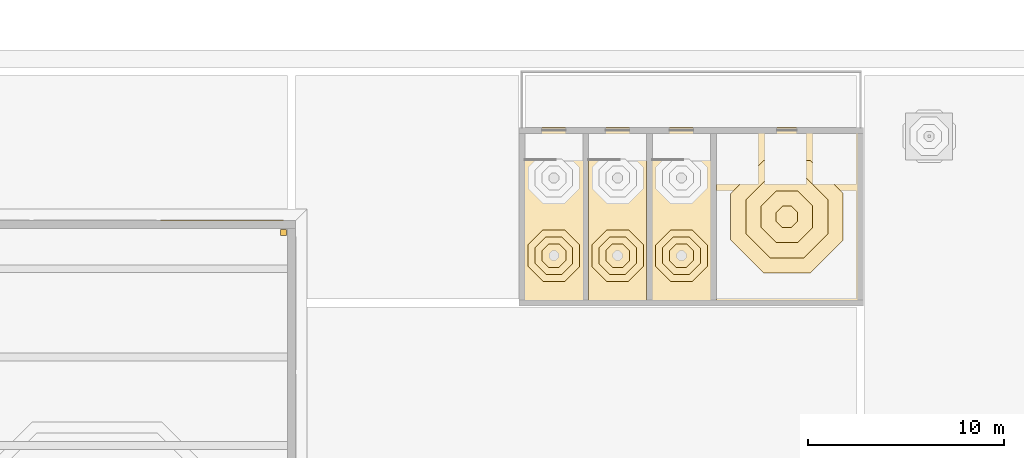
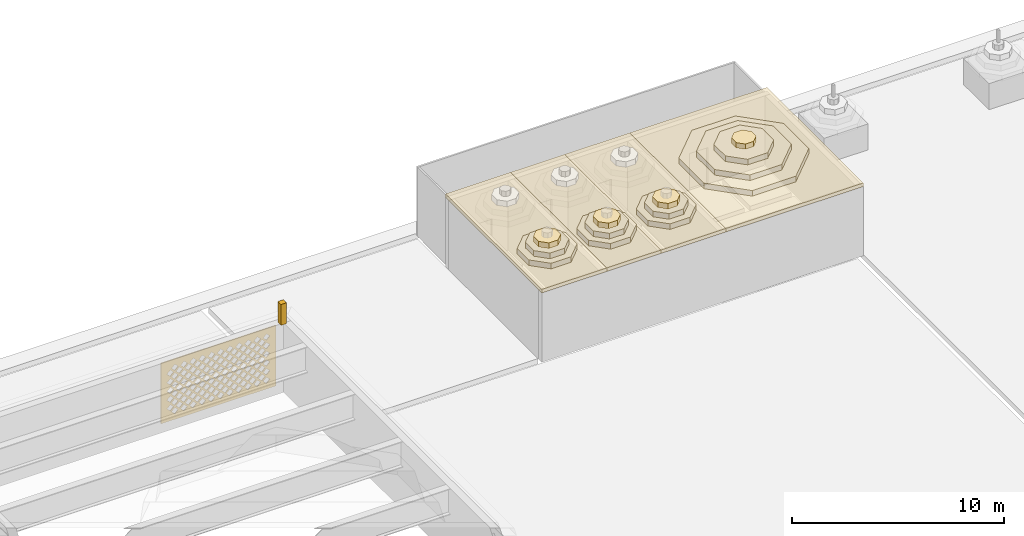
# One storey, part 34 of 63: 19 coverings.
"""IFC4 building model written with IfcOpenShell, lengths in metres."""

import ifcopenshell
import ifcopenshell.guid

model = None  # the IFC model being written
_history = None  # IfcOwnerHistory: only IFC2X3 demands one
_inside = {}  # id of a spatial element -> (the spatial element, [elements in it])
_under = {}  # id of a project, library or spatial element -> (it, [spatial elements below it])
_declared = {}  # id of a project -> (the project, [libraries it declares])
_typed = {}  # id of a type object -> (the type object, [elements of that type])
_made_of = {}  # id of a material, layer set ... -> (it, [elements and type objects made of it])


def new_model(schema):
    """Start an empty IFC model of exactly this schema.

    Asked for "IFC4X3", IfcOpenShell would pick the latest addendum, in which some entities
    have other attributes; the version numbers below select the first issue.
    IFC2X3 requires an IfcOwnerHistory on every rooted entity: one is made here for all.
    """
    global model, _history
    if schema == "IFC4X3":
        model = ifcopenshell.file(schema_version=(4, 3, 0, 0))
    else:
        model = ifcopenshell.file(schema=schema)
    _inside.clear()
    _under.clear()
    _declared.clear()
    _typed.clear()
    _made_of.clear()
    _history = None
    if model.schema == "IFC2X3":
        org = make("IfcOrganization", Name="unknown")
        user = make(
            "IfcPersonAndOrganization",
            ThePerson=make("IfcPerson", FamilyName="unknown"),
            TheOrganization=org,
        )
        app = make(
            "IfcApplication",
            ApplicationDeveloper=org,
            Version="unknown",
            ApplicationFullName="unknown",
            ApplicationIdentifier="unknown",
        )
        _history = make(
            "IfcOwnerHistory",
            OwningUser=user,
            OwningApplication=app,
            ChangeAction="ADDED",
            CreationDate=0,
        )
    return model


def make(cls, **values):
    """One entity of the class cls with the attributes given. An attribute that is None is left unset."""
    return model.create_entity(
        cls, **{name: value for name, value in values.items() if value is not None}
    )


def rooted(cls, **values):
    """An entity with a GlobalId (a new one), such as an element, a storey or a relation."""
    return make(cls, GlobalId=ifcopenshell.guid.new(), OwnerHistory=_history, **values)


def si_unit(unit_type, name, prefix=None):
    """IfcSIUnit, for example si_unit("LENGTHUNIT", "METRE", prefix="MILLI")."""
    return make("IfcSIUnit", UnitType=unit_type, Prefix=prefix, Name=name)


def assignment(units):
    """IfcUnitAssignment: the units of a project."""
    return None if units is None else make("IfcUnitAssignment", Units=units)


def point(xyz):
    """IfcCartesianPoint."""
    return None if xyz is None else make("IfcCartesianPoint", Coordinates=xyz)


def direction(xyz):
    """IfcDirection."""
    return None if xyz is None else make("IfcDirection", DirectionRatios=xyz)


def frame(location, z_axis=None, x_axis=None):
    """IfcAxis2Placement3D, a coordinate frame: its origin and axes. An axis left out is left unset."""
    return make(
        "IfcAxis2Placement3D",
        Location=point(location),
        Axis=direction(z_axis),
        RefDirection=direction(x_axis),
    )


def frame_2d(location, x_axis=None):
    """IfcAxis2Placement2D, a coordinate frame in the plane: its origin and x axis."""
    return make(
        "IfcAxis2Placement2D", Location=point(location), RefDirection=direction(x_axis)
    )


def origin():
    """The frame at (0, 0, 0) with its axes left unset."""
    return frame((0.0, 0.0, 0.0))


def origin_2d():
    """The frame at (0, 0) in the plane with its x axis left unset."""
    return frame_2d((0.0, 0.0))


def place(relative_to, where):
    """IfcLocalPlacement: puts the frame where relative to a parent placement (None: the world)."""
    return make(
        "IfcLocalPlacement", PlacementRelTo=relative_to, RelativePlacement=where
    )


def context(
    kind, dimensions, precision=None, world=None, true_north=None, identifier=None
):
    """IfcGeometricRepresentationContext, for example the 3D "Model" context."""
    return make(
        "IfcGeometricRepresentationContext",
        ContextIdentifier=identifier,
        ContextType=kind,
        CoordinateSpaceDimension=dimensions,
        Precision=precision,
        WorldCoordinateSystem=world,
        TrueNorth=true_north,
    )


def subcontext(parent, identifier, kind, view, scale=None):
    """IfcGeometricRepresentationSubContext, for example "Body" below "Model"."""
    return make(
        "IfcGeometricRepresentationSubContext",
        ContextIdentifier=identifier,
        ContextType=kind,
        ParentContext=parent,
        TargetScale=scale,
        TargetView=view,
    )


def project(units=None, contexts=None):
    """IfcProject with its units and contexts."""
    return rooted(
        "IfcProject",
        Name="project",
        RepresentationContexts=contexts,
        UnitsInContext=assignment(units),
    )


def spatial(cls, under=None, at=None, **own):
    """A site, building, storey or space (cls), placed at a placement, below another one or the project."""
    s = rooted(cls, ObjectPlacement=at, **own)
    if under is not None:
        _under.setdefault(under.id(), (under, []))[1].append(s)
    return s


def polyline(points):
    """IfcPolyline through the points."""
    return make("IfcPolyline", Points=[point(p) for p in points])


def profile(cls, at=None, kind="AREA", **sizes):
    """A parametric profile (cls). Its sizes go by their IFC names, for example OverallWidth=200.0."""
    return make(cls, ProfileType=kind, Position=at, **sizes)


def rectangle(**sizes):
    """IfcRectangleProfileDef."""
    return profile("IfcRectangleProfileDef", **sizes)


def outline(outer, holes=None, kind="AREA"):
    """IfcArbitraryClosedProfileDef: a profile drawn as a closed curve; with holes, ...WithVoids."""
    if holes is None:
        return make("IfcArbitraryClosedProfileDef", ProfileType=kind, OuterCurve=outer)
    return make(
        "IfcArbitraryProfileDefWithVoids",
        ProfileType=kind,
        OuterCurve=outer,
        InnerCurves=holes,
    )


def extrude(swept, where, along, depth):
    """IfcExtrudedAreaSolid: the profile swept, set in the frame where, extruded along a direction by depth."""
    return make(
        "IfcExtrudedAreaSolid",
        SweptArea=swept,
        Position=where,
        ExtrudedDirection=direction(along),
        Depth=depth,
    )


def shape(context_of_items, identifier, shape_type, items):
    """IfcShapeRepresentation: the items that make up one representation, for example the "Body"."""
    return make(
        "IfcShapeRepresentation",
        ContextOfItems=context_of_items,
        RepresentationIdentifier=identifier,
        RepresentationType=shape_type,
        Items=items,
    )


def material(Name=None, Category=None):
    """IfcMaterial."""
    return make("IfcMaterial", Name=Name, Category=Category)


def layer(
    of_material, thickness, ventilated=None, Name=None, Category=None, Priority=None
):
    """IfcMaterialLayer: one layer of a wall or slab, of a material (None: an air gap)."""
    return make(
        "IfcMaterialLayer",
        Material=of_material,
        LayerThickness=thickness,
        IsVentilated=ventilated,
        Name=Name,
        Category=Category,
        Priority=Priority,
    )


def layer_set(layers, Name=None):
    """IfcMaterialLayerSet."""
    return make("IfcMaterialLayerSet", MaterialLayers=layers, LayerSetName=Name)


def made_of(thing, what):
    """Note that an element or type object is made of a material, layer set ...; save() writes the relation."""
    if what is not None:
        _made_of.setdefault(what.id(), (what, []))[1].append(thing)
    return thing


def type_object(cls, material=None, **own):
    """A type object (cls), such as IfcWallType, which elements share."""
    return made_of(rooted(cls, **own), material)


def element(
    cls,
    number,
    at=None,
    inside=None,
    cuts=None,
    type_object=None,
    material=None,
    context=None,
    identifier="Body",
    shape_type=None,
    held_by="IfcProductDefinitionShape",
    body=None,
    shapes=None,
    **own,
):
    """One element of the class cls, such as IfcWall. Its Tag is "e" and its number.

    at: its placement. inside: the storey or other place that contains it. cuts: it is an
    opening in that element (IfcRelVoidsElement). A single representation is given by context,
    identifier, shape_type and body (its items); several are given by shapes. held_by: the class
    of the entity that holds the representations. save() writes the other relations.
    """
    e = rooted(cls, Tag="e%d" % number, ObjectPlacement=at, **own)
    if body is not None:
        shapes = [shape(context, identifier, shape_type, body)]
    if shapes is not None:
        e.Representation = make(held_by, Representations=shapes)
    if inside is not None:
        _inside.setdefault(inside.id(), (inside, []))[1].append(e)
    if cuts is not None:
        rooted(
            "IfcRelVoidsElement", RelatingBuildingElement=cuts, RelatedOpeningElement=e
        )
    if type_object is not None:
        _typed.setdefault(type_object.id(), (type_object, []))[1].append(e)
    return made_of(e, material)


def aggregate(whole, parts):
    """IfcRelAggregates: a whole, such as a stair, and the parts it consists of."""
    return rooted("IfcRelAggregates", RelatingObject=whole, RelatedObjects=parts)


def save(model, path):
    """Write the relations noted so far, then the file.

    IfcRelAggregates (storeys below a building ...), IfcRelContainedInSpatialStructure (elements
    in a storey), IfcRelDefinesByType, IfcRelAssociatesMaterial and IfcRelDeclares: one each for
    every whole, place, type object, material and project.
    """
    for whole, parts in _under.values():
        aggregate(whole, parts)
    for where, things in _inside.values():
        rooted(
            "IfcRelContainedInSpatialStructure",
            RelatedElements=things,
            RelatingStructure=where,
        )
    for kind, things in _typed.values():
        rooted("IfcRelDefinesByType", RelatedObjects=things, RelatingType=kind)
    for what, things in _made_of.values():
        rooted("IfcRelAssociatesMaterial", RelatedObjects=things, RelatingMaterial=what)
    for by, libraries in _declared.values():
        rooted("IfcRelDeclares", RelatingContext=by, RelatedDefinitions=libraries)
    model.write(path)


model = new_model("IFC4")

# Units and contexts
model_context = context("Model", 3, precision=1e-05, world=origin(), true_north=direction((0.0, 1.0)))
body_context = subcontext(model_context, "Body", "Model", "MODEL_VIEW")
ifc_project = project(units=[si_unit("LENGTHUNIT", "METRE"), si_unit("AREAUNIT", "SQUARE_METRE"), si_unit("VOLUMEUNIT", "CUBIC_METRE"), si_unit("PLANEANGLEUNIT", "RADIAN"), si_unit("MASSUNIT", "GRAM", prefix="KILO")], contexts=[model_context])

# Site, building, storey
site_placement = place(None, origin())
site = spatial("IfcSite", under=ifc_project, at=site_placement, CompositionType="ELEMENT")
building_placement = place(site_placement, origin())
building = spatial("IfcBuilding", under=site, at=building_placement, Name="Noorbagh Ring Tower", CompositionType="ELEMENT")
storey_placement = place(building_placement, frame((0.0, 0.0, 25.0)))
storey = spatial("IfcBuildingStorey", under=building, at=storey_placement, Name="L04", CompositionType="ELEMENT", Elevation=25.0)

# Coverings
ifc_material_1 = material(Name="Red sandstone jali", Category="masonry")
ifc_layer_1 = layer(ifc_material_1, 0.0400390625)
ifc_layer_set_1 = layer_set([ifc_layer_1], Name="Red sandstone jali")
covering_type_1 = type_object("IfcCoveringType", Name="STH-BAND", PredefinedType="USERDEFINED", material=ifc_layer_set_1)
covering_1_placement = place(storey_placement, frame((-140.39990234375, 23.239990234375, 0.199951171875), z_axis=(0.0, 1.0, 0.0), x_axis=(-1.0, 0.0, 0.0)))
element("IfcCovering", 1, at=covering_1_placement, inside=storey, type_object=covering_type_1, Name="Jali band of the stage house", ObjectType="JALI SCREEN", PredefinedType="USERDEFINED", context=body_context, shape_type="SweptSolid", body=[
    extrude(outline(polyline([(0.0, 0.0), (6.266845703125, 0.0), (6.266845703125, 3.5), (0.0, 3.5), (0.0, 0.0)]), holes=[polyline([(0.328369140625, 0.5), (0.50830078125, 0.320068359375), (0.688232421875, 0.5), (0.50830078125, 0.679931640625), (0.328369140625, 0.5)]), polyline([(0.828369140625, 0.5), (1.00830078125, 0.320068359375), (1.188232421875, 0.5), (1.00830078125, 0.679931640625), (0.828369140625, 0.5)]), polyline([(1.328369140625, 0.5), (1.50830078125, 0.320068359375), (1.688232421875, 0.5), (1.50830078125, 0.679931640625), (1.328369140625, 0.5)]), polyline([(1.828369140625, 0.5), (2.00830078125, 0.320068359375), (2.188232421875, 0.5), (2.00830078125, 0.679931640625), (1.828369140625, 0.5)]), polyline([(2.328369140625, 0.5), (2.50830078125, 0.320068359375), (2.688232421875, 0.5), (2.50830078125, 0.679931640625), (2.328369140625, 0.5)]), polyline([(2.828369140625, 0.5), (3.00830078125, 0.320068359375), (3.188232421875, 0.5), (3.00830078125, 0.679931640625), (2.828369140625, 0.5)]), polyline([(3.328369140625, 0.5), (3.50830078125, 0.320068359375), (3.688232421875, 0.5), (3.50830078125, 0.679931640625), (3.328369140625, 0.5)]), polyline([(3.828369140625, 0.5), (4.00830078125, 0.320068359375), (4.188232421875, 0.5), (4.00830078125, 0.679931640625), (3.828369140625, 0.5)]), polyline([(4.328369140625, 0.5), (4.50830078125, 0.320068359375), (4.688232421875, 0.5), (4.50830078125, 0.679931640625), (4.328369140625, 0.5)]), polyline([(4.828369140625, 0.5), (5.00830078125, 0.320068359375), (5.188232421875, 0.5), (5.00830078125, 0.679931640625), (4.828369140625, 0.5)]), polyline([(5.328369140625, 0.5), (5.50830078125, 0.320068359375), (5.688232421875, 0.5), (5.50830078125, 0.679931640625), (5.328369140625, 0.5)]), polyline([(0.578369140625, 0.75), (0.75830078125, 0.570068359375), (0.938232421875, 0.75), (0.75830078125, 0.929931640625), (0.578369140625, 0.75)]), polyline([(1.078369140625, 0.75), (1.25830078125, 0.570068359375), (1.438232421875, 0.75), (1.25830078125, 0.929931640625), (1.078369140625, 0.75)]), polyline([(1.578369140625, 0.75), (1.75830078125, 0.570068359375), (1.938232421875, 0.75), (1.75830078125, 0.929931640625), (1.578369140625, 0.75)]), polyline([(2.078369140625, 0.75), (2.25830078125, 0.570068359375), (2.438232421875, 0.75), (2.25830078125, 0.929931640625), (2.078369140625, 0.75)]), polyline([(2.578369140625, 0.75), (2.75830078125, 0.570068359375), (2.938232421875, 0.75), (2.75830078125, 0.929931640625), (2.578369140625, 0.75)]), polyline([(3.078369140625, 0.75), (3.25830078125, 0.570068359375), (3.438232421875, 0.75), (3.25830078125, 0.929931640625), (3.078369140625, 0.75)]), polyline([(3.578369140625, 0.75), (3.75830078125, 0.570068359375), (3.938232421875, 0.75), (3.75830078125, 0.929931640625), (3.578369140625, 0.75)]), polyline([(4.078369140625, 0.75), (4.25830078125, 0.570068359375), (4.438232421875, 0.75), (4.25830078125, 0.929931640625), (4.078369140625, 0.75)]), polyline([(4.578369140625, 0.75), (4.75830078125, 0.570068359375), (4.938232421875, 0.75), (4.75830078125, 0.929931640625), (4.578369140625, 0.75)]), polyline([(5.078369140625, 0.75), (5.25830078125, 0.570068359375), (5.438232421875, 0.75), (5.25830078125, 0.929931640625), (5.078369140625, 0.75)]), polyline([(5.578369140625, 0.75), (5.75830078125, 0.570068359375), (5.938232421875, 0.75), (5.75830078125, 0.929931640625), (5.578369140625, 0.75)]), polyline([(0.328369140625, 1.0), (0.50830078125, 0.820068359375), (0.688232421875, 1.0), (0.50830078125, 1.179931640625), (0.328369140625, 1.0)]), polyline([(0.828369140625, 1.0), (1.00830078125, 0.820068359375), (1.188232421875, 1.0), (1.00830078125, 1.179931640625), (0.828369140625, 1.0)]), polyline([(1.328369140625, 1.0), (1.50830078125, 0.820068359375), (1.688232421875, 1.0), (1.50830078125, 1.179931640625), (1.328369140625, 1.0)]), polyline([(1.828369140625, 1.0), (2.00830078125, 0.820068359375), (2.188232421875, 1.0), (2.00830078125, 1.179931640625), (1.828369140625, 1.0)]), polyline([(2.328369140625, 1.0), (2.50830078125, 0.820068359375), (2.688232421875, 1.0), (2.50830078125, 1.179931640625), (2.328369140625, 1.0)]), polyline([(2.828369140625, 1.0), (3.00830078125, 0.820068359375), (3.188232421875, 1.0), (3.00830078125, 1.179931640625), (2.828369140625, 1.0)]), polyline([(3.328369140625, 1.0), (3.50830078125, 0.820068359375), (3.688232421875, 1.0), (3.50830078125, 1.179931640625), (3.328369140625, 1.0)]), polyline([(3.828369140625, 1.0), (4.00830078125, 0.820068359375), (4.188232421875, 1.0), (4.00830078125, 1.179931640625), (3.828369140625, 1.0)]), polyline([(4.328369140625, 1.0), (4.50830078125, 0.820068359375), (4.688232421875, 1.0), (4.50830078125, 1.179931640625), (4.328369140625, 1.0)]), polyline([(4.828369140625, 1.0), (5.00830078125, 0.820068359375), (5.188232421875, 1.0), (5.00830078125, 1.179931640625), (4.828369140625, 1.0)]), polyline([(5.328369140625, 1.0), (5.50830078125, 0.820068359375), (5.688232421875, 1.0), (5.50830078125, 1.179931640625), (5.328369140625, 1.0)]), polyline([(0.578369140625, 1.25), (0.75830078125, 1.070068359375), (0.938232421875, 1.25), (0.75830078125, 1.429931640625), (0.578369140625, 1.25)]), polyline([(1.078369140625, 1.25), (1.25830078125, 1.070068359375), (1.438232421875, 1.25), (1.25830078125, 1.429931640625), (1.078369140625, 1.25)]), polyline([(1.578369140625, 1.25), (1.75830078125, 1.070068359375), (1.938232421875, 1.25), (1.75830078125, 1.429931640625), (1.578369140625, 1.25)]), polyline([(2.078369140625, 1.25), (2.25830078125, 1.070068359375), (2.438232421875, 1.25), (2.25830078125, 1.429931640625), (2.078369140625, 1.25)]), polyline([(2.578369140625, 1.25), (2.75830078125, 1.070068359375), (2.938232421875, 1.25), (2.75830078125, 1.429931640625), (2.578369140625, 1.25)]), polyline([(3.078369140625, 1.25), (3.25830078125, 1.070068359375), (3.438232421875, 1.25), (3.25830078125, 1.429931640625), (3.078369140625, 1.25)]), polyline([(3.578369140625, 1.25), (3.75830078125, 1.070068359375), (3.938232421875, 1.25), (3.75830078125, 1.429931640625), (3.578369140625, 1.25)]), polyline([(4.078369140625, 1.25), (4.25830078125, 1.070068359375), (4.438232421875, 1.25), (4.25830078125, 1.429931640625), (4.078369140625, 1.25)]), polyline([(4.578369140625, 1.25), (4.75830078125, 1.070068359375), (4.938232421875, 1.25), (4.75830078125, 1.429931640625), (4.578369140625, 1.25)]), polyline([(5.078369140625, 1.25), (5.25830078125, 1.070068359375), (5.438232421875, 1.25), (5.25830078125, 1.429931640625), (5.078369140625, 1.25)]), polyline([(5.578369140625, 1.25), (5.75830078125, 1.070068359375), (5.938232421875, 1.25), (5.75830078125, 1.429931640625), (5.578369140625, 1.25)]), polyline([(0.328369140625, 1.5), (0.50830078125, 1.320068359375), (0.688232421875, 1.5), (0.50830078125, 1.679931640625), (0.328369140625, 1.5)]), polyline([(0.828369140625, 1.5), (1.00830078125, 1.320068359375), (1.188232421875, 1.5), (1.00830078125, 1.679931640625), (0.828369140625, 1.5)]), polyline([(1.328369140625, 1.5), (1.50830078125, 1.320068359375), (1.688232421875, 1.5), (1.50830078125, 1.679931640625), (1.328369140625, 1.5)]), polyline([(1.828369140625, 1.5), (2.00830078125, 1.320068359375), (2.188232421875, 1.5), (2.00830078125, 1.679931640625), (1.828369140625, 1.5)]), polyline([(2.328369140625, 1.5), (2.50830078125, 1.320068359375), (2.688232421875, 1.5), (2.50830078125, 1.679931640625), (2.328369140625, 1.5)]), polyline([(2.828369140625, 1.5), (3.00830078125, 1.320068359375), (3.188232421875, 1.5), (3.00830078125, 1.679931640625), (2.828369140625, 1.5)]), polyline([(3.328369140625, 1.5), (3.50830078125, 1.320068359375), (3.688232421875, 1.5), (3.50830078125, 1.679931640625), (3.328369140625, 1.5)]), polyline([(3.828369140625, 1.5), (4.00830078125, 1.320068359375), (4.188232421875, 1.5), (4.00830078125, 1.679931640625), (3.828369140625, 1.5)]), polyline([(4.328369140625, 1.5), (4.50830078125, 1.320068359375), (4.688232421875, 1.5), (4.50830078125, 1.679931640625), (4.328369140625, 1.5)]), polyline([(4.828369140625, 1.5), (5.00830078125, 1.320068359375), (5.188232421875, 1.5), (5.00830078125, 1.679931640625), (4.828369140625, 1.5)]), polyline([(5.328369140625, 1.5), (5.50830078125, 1.320068359375), (5.688232421875, 1.5), (5.50830078125, 1.679931640625), (5.328369140625, 1.5)]), polyline([(0.578369140625, 1.75), (0.75830078125, 1.570068359375), (0.938232421875, 1.75), (0.75830078125, 1.929931640625), (0.578369140625, 1.75)]), polyline([(1.078369140625, 1.75), (1.25830078125, 1.570068359375), (1.438232421875, 1.75), (1.25830078125, 1.929931640625), (1.078369140625, 1.75)]), polyline([(1.578369140625, 1.75), (1.75830078125, 1.570068359375), (1.938232421875, 1.75), (1.75830078125, 1.929931640625), (1.578369140625, 1.75)]), polyline([(2.078369140625, 1.75), (2.25830078125, 1.570068359375), (2.438232421875, 1.75), (2.25830078125, 1.929931640625), (2.078369140625, 1.75)]), polyline([(2.578369140625, 1.75), (2.75830078125, 1.570068359375), (2.938232421875, 1.75), (2.75830078125, 1.929931640625), (2.578369140625, 1.75)]), polyline([(3.078369140625, 1.75), (3.25830078125, 1.570068359375), (3.438232421875, 1.75), (3.25830078125, 1.929931640625), (3.078369140625, 1.75)]), polyline([(3.578369140625, 1.75), (3.75830078125, 1.570068359375), (3.938232421875, 1.75), (3.75830078125, 1.929931640625), (3.578369140625, 1.75)]), polyline([(4.078369140625, 1.75), (4.25830078125, 1.570068359375), (4.438232421875, 1.75), (4.25830078125, 1.929931640625), (4.078369140625, 1.75)]), polyline([(4.578369140625, 1.75), (4.75830078125, 1.570068359375), (4.938232421875, 1.75), (4.75830078125, 1.929931640625), (4.578369140625, 1.75)]), polyline([(5.078369140625, 1.75), (5.25830078125, 1.570068359375), (5.438232421875, 1.75), (5.25830078125, 1.929931640625), (5.078369140625, 1.75)]), polyline([(5.578369140625, 1.75), (5.75830078125, 1.570068359375), (5.938232421875, 1.75), (5.75830078125, 1.929931640625), (5.578369140625, 1.75)]), polyline([(0.328369140625, 2.0), (0.50830078125, 1.820068359375), (0.688232421875, 2.0), (0.50830078125, 2.179931640625), (0.328369140625, 2.0)]), polyline([(0.828369140625, 2.0), (1.00830078125, 1.820068359375), (1.188232421875, 2.0), (1.00830078125, 2.179931640625), (0.828369140625, 2.0)]), polyline([(1.328369140625, 2.0), (1.50830078125, 1.820068359375), (1.688232421875, 2.0), (1.50830078125, 2.179931640625), (1.328369140625, 2.0)]), polyline([(1.828369140625, 2.0), (2.00830078125, 1.820068359375), (2.188232421875, 2.0), (2.00830078125, 2.179931640625), (1.828369140625, 2.0)]), polyline([(2.328369140625, 2.0), (2.50830078125, 1.820068359375), (2.688232421875, 2.0), (2.50830078125, 2.179931640625), (2.328369140625, 2.0)]), polyline([(2.828369140625, 2.0), (3.00830078125, 1.820068359375), (3.188232421875, 2.0), (3.00830078125, 2.179931640625), (2.828369140625, 2.0)]), polyline([(3.328369140625, 2.0), (3.50830078125, 1.820068359375), (3.688232421875, 2.0), (3.50830078125, 2.179931640625), (3.328369140625, 2.0)]), polyline([(3.828369140625, 2.0), (4.00830078125, 1.820068359375), (4.188232421875, 2.0), (4.00830078125, 2.179931640625), (3.828369140625, 2.0)]), polyline([(4.328369140625, 2.0), (4.50830078125, 1.820068359375), (4.688232421875, 2.0), (4.50830078125, 2.179931640625), (4.328369140625, 2.0)]), polyline([(4.828369140625, 2.0), (5.00830078125, 1.820068359375), (5.188232421875, 2.0), (5.00830078125, 2.179931640625), (4.828369140625, 2.0)]), polyline([(5.328369140625, 2.0), (5.50830078125, 1.820068359375), (5.688232421875, 2.0), (5.50830078125, 2.179931640625), (5.328369140625, 2.0)]), polyline([(0.578369140625, 2.25), (0.75830078125, 2.070068359375), (0.938232421875, 2.25), (0.75830078125, 2.429931640625), (0.578369140625, 2.25)]), polyline([(1.078369140625, 2.25), (1.25830078125, 2.070068359375), (1.438232421875, 2.25), (1.25830078125, 2.429931640625), (1.078369140625, 2.25)]), polyline([(1.578369140625, 2.25), (1.75830078125, 2.070068359375), (1.938232421875, 2.25), (1.75830078125, 2.429931640625), (1.578369140625, 2.25)]), polyline([(2.078369140625, 2.25), (2.25830078125, 2.070068359375), (2.438232421875, 2.25), (2.25830078125, 2.429931640625), (2.078369140625, 2.25)]), polyline([(2.578369140625, 2.25), (2.75830078125, 2.070068359375), (2.938232421875, 2.25), (2.75830078125, 2.429931640625), (2.578369140625, 2.25)]), polyline([(3.078369140625, 2.25), (3.25830078125, 2.070068359375), (3.438232421875, 2.25), (3.25830078125, 2.429931640625), (3.078369140625, 2.25)]), polyline([(3.578369140625, 2.25), (3.75830078125, 2.070068359375), (3.938232421875, 2.25), (3.75830078125, 2.429931640625), (3.578369140625, 2.25)]), polyline([(4.078369140625, 2.25), (4.25830078125, 2.070068359375), (4.438232421875, 2.25), (4.25830078125, 2.429931640625), (4.078369140625, 2.25)]), polyline([(4.578369140625, 2.25), (4.75830078125, 2.070068359375), (4.938232421875, 2.25), (4.75830078125, 2.429931640625), (4.578369140625, 2.25)]), polyline([(5.078369140625, 2.25), (5.25830078125, 2.070068359375), (5.438232421875, 2.25), (5.25830078125, 2.429931640625), (5.078369140625, 2.25)]), polyline([(5.578369140625, 2.25), (5.75830078125, 2.070068359375), (5.938232421875, 2.25), (5.75830078125, 2.429931640625), (5.578369140625, 2.25)]), polyline([(0.328369140625, 2.5), (0.50830078125, 2.320068359375), (0.688232421875, 2.5), (0.50830078125, 2.679931640625), (0.328369140625, 2.5)]), polyline([(0.828369140625, 2.5), (1.00830078125, 2.320068359375), (1.188232421875, 2.5), (1.00830078125, 2.679931640625), (0.828369140625, 2.5)]), polyline([(1.328369140625, 2.5), (1.50830078125, 2.320068359375), (1.688232421875, 2.5), (1.50830078125, 2.679931640625), (1.328369140625, 2.5)]), polyline([(1.828369140625, 2.5), (2.00830078125, 2.320068359375), (2.188232421875, 2.5), (2.00830078125, 2.679931640625), (1.828369140625, 2.5)]), polyline([(2.328369140625, 2.5), (2.50830078125, 2.320068359375), (2.688232421875, 2.5), (2.50830078125, 2.679931640625), (2.328369140625, 2.5)]), polyline([(2.828369140625, 2.5), (3.00830078125, 2.320068359375), (3.188232421875, 2.5), (3.00830078125, 2.679931640625), (2.828369140625, 2.5)]), polyline([(3.328369140625, 2.5), (3.50830078125, 2.320068359375), (3.688232421875, 2.5), (3.50830078125, 2.679931640625), (3.328369140625, 2.5)]), polyline([(3.828369140625, 2.5), (4.00830078125, 2.320068359375), (4.188232421875, 2.5), (4.00830078125, 2.679931640625), (3.828369140625, 2.5)]), polyline([(4.328369140625, 2.5), (4.50830078125, 2.320068359375), (4.688232421875, 2.5), (4.50830078125, 2.679931640625), (4.328369140625, 2.5)]), polyline([(4.828369140625, 2.5), (5.00830078125, 2.320068359375), (5.188232421875, 2.5), (5.00830078125, 2.679931640625), (4.828369140625, 2.5)]), polyline([(5.328369140625, 2.5), (5.50830078125, 2.320068359375), (5.688232421875, 2.5), (5.50830078125, 2.679931640625), (5.328369140625, 2.5)]), polyline([(0.578369140625, 2.75), (0.75830078125, 2.570068359375), (0.938232421875, 2.75), (0.75830078125, 2.929931640625), (0.578369140625, 2.75)]), polyline([(1.078369140625, 2.75), (1.25830078125, 2.570068359375), (1.438232421875, 2.75), (1.25830078125, 2.929931640625), (1.078369140625, 2.75)]), polyline([(1.578369140625, 2.75), (1.75830078125, 2.570068359375), (1.938232421875, 2.75), (1.75830078125, 2.929931640625), (1.578369140625, 2.75)]), polyline([(2.078369140625, 2.75), (2.25830078125, 2.570068359375), (2.438232421875, 2.75), (2.25830078125, 2.929931640625), (2.078369140625, 2.75)]), polyline([(2.578369140625, 2.75), (2.75830078125, 2.570068359375), (2.938232421875, 2.75), (2.75830078125, 2.929931640625), (2.578369140625, 2.75)]), polyline([(3.078369140625, 2.75), (3.25830078125, 2.570068359375), (3.438232421875, 2.75), (3.25830078125, 2.929931640625), (3.078369140625, 2.75)]), polyline([(3.578369140625, 2.75), (3.75830078125, 2.570068359375), (3.938232421875, 2.75), (3.75830078125, 2.929931640625), (3.578369140625, 2.75)]), polyline([(4.078369140625, 2.75), (4.25830078125, 2.570068359375), (4.438232421875, 2.75), (4.25830078125, 2.929931640625), (4.078369140625, 2.75)]), polyline([(4.578369140625, 2.75), (4.75830078125, 2.570068359375), (4.938232421875, 2.75), (4.75830078125, 2.929931640625), (4.578369140625, 2.75)]), polyline([(5.078369140625, 2.75), (5.25830078125, 2.570068359375), (5.438232421875, 2.75), (5.25830078125, 2.929931640625), (5.078369140625, 2.75)]), polyline([(5.578369140625, 2.75), (5.75830078125, 2.570068359375), (5.938232421875, 2.75), (5.75830078125, 2.929931640625), (5.578369140625, 2.75)]), polyline([(0.328369140625, 3.0), (0.50830078125, 2.820068359375), (0.688232421875, 3.0), (0.50830078125, 3.179931640625), (0.328369140625, 3.0)]), polyline([(0.828369140625, 3.0), (1.00830078125, 2.820068359375), (1.188232421875, 3.0), (1.00830078125, 3.179931640625), (0.828369140625, 3.0)]), polyline([(1.328369140625, 3.0), (1.50830078125, 2.820068359375), (1.688232421875, 3.0), (1.50830078125, 3.179931640625), (1.328369140625, 3.0)]), polyline([(1.828369140625, 3.0), (2.00830078125, 2.820068359375), (2.188232421875, 3.0), (2.00830078125, 3.179931640625), (1.828369140625, 3.0)]), polyline([(2.328369140625, 3.0), (2.50830078125, 2.820068359375), (2.688232421875, 3.0), (2.50830078125, 3.179931640625), (2.328369140625, 3.0)]), polyline([(2.828369140625, 3.0), (3.00830078125, 2.820068359375), (3.188232421875, 3.0), (3.00830078125, 3.179931640625), (2.828369140625, 3.0)]), polyline([(3.328369140625, 3.0), (3.50830078125, 2.820068359375), (3.688232421875, 3.0), (3.50830078125, 3.179931640625), (3.328369140625, 3.0)]), polyline([(3.828369140625, 3.0), (4.00830078125, 2.820068359375), (4.188232421875, 3.0), (4.00830078125, 3.179931640625), (3.828369140625, 3.0)]), polyline([(4.328369140625, 3.0), (4.50830078125, 2.820068359375), (4.688232421875, 3.0), (4.50830078125, 3.179931640625), (4.328369140625, 3.0)]), polyline([(4.828369140625, 3.0), (5.00830078125, 2.820068359375), (5.188232421875, 3.0), (5.00830078125, 3.179931640625), (4.828369140625, 3.0)]), polyline([(5.328369140625, 3.0), (5.50830078125, 2.820068359375), (5.688232421875, 3.0), (5.50830078125, 3.179931640625), (5.328369140625, 3.0)])]), origin(), (0.0, 0.0, -1.0), 0.0400390625),
])
ifc_material_2 = material(Name="Cream sandstone dome cladding", Category="masonry")
ifc_layer_2 = layer(ifc_material_2, 0.199951171875)
ifc_layer_set_2 = layer_set([ifc_layer_2], Name="Cream sandstone dome cladding")
covering_type_2 = type_object("IfcCoveringType", Name="STH-CAP", PredefinedType="ROOFING", material=ifc_layer_set_2)
covering_2_placement = place(storey_placement, frame((0.0, 0.0, 4.0)))
element("IfcCovering", 2, at=covering_2_placement, inside=storey, type_object=covering_type_2, Name="Roof of the stair head", PredefinedType="ROOFING", context=body_context, shape_type="SweptSolid", body=[
    extrude(outline(polyline([(-128.39990234375, 18.85009765625), (-124.85009765625, 18.85009765625), (-124.85009765625, 27.949951171875), (-128.39990234375, 27.949951171875), (-128.39990234375, 18.85009765625)])), origin(), (0.0, 0.0, 1.0), 0.199951171875),
])
covering_3_placement = place(storey_placement, frame((0.0, 0.0, 4.0)))
element("IfcCovering", 3, at=covering_3_placement, inside=storey, type_object=covering_type_2, Name="Roof of the stair head", PredefinedType="ROOFING", context=body_context, shape_type="SweptSolid", body=[
    extrude(outline(polyline([(-125.14990234375, 18.85009765625), (-121.60009765625, 18.85009765625), (-121.60009765625, 27.949951171875), (-125.14990234375, 27.949951171875), (-125.14990234375, 18.85009765625)])), origin(), (0.0, 0.0, 1.0), 0.199951171875),
])
covering_4_placement = place(storey_placement, frame((0.0, 0.0, 4.0)))
element("IfcCovering", 4, at=covering_4_placement, inside=storey, type_object=covering_type_2, Name="Roof of the stair head", PredefinedType="ROOFING", context=body_context, shape_type="SweptSolid", body=[
    extrude(outline(polyline([(-121.89990234375, 18.85009765625), (-118.35009765625, 18.85009765625), (-118.35009765625, 27.949951171875), (-121.89990234375, 27.949951171875), (-121.89990234375, 18.85009765625)])), origin(), (0.0, 0.0, 1.0), 0.199951171875),
])
covering_5_placement = place(storey_placement, frame((0.0, 0.0, 4.0)))
element("IfcCovering", 5, at=covering_5_placement, inside=storey, type_object=covering_type_2, Name="Roof of the stair head", PredefinedType="ROOFING", context=body_context, shape_type="SweptSolid", body=[
    extrude(outline(polyline([(-118.64990234375, 18.85009765625), (-110.85009765625, 18.85009765625), (-110.85009765625, 27.949951171875), (-118.64990234375, 27.949951171875), (-118.64990234375, 18.85009765625)])), origin(), (0.0, 0.0, 1.0), 0.199951171875),
])
ifc_material_3 = material(Name="Cream sandstone dome cladding", Category="masonry")
ifc_layer_3 = layer(ifc_material_3, 0.300048828125)
ifc_layer_set_3 = layer_set([ifc_layer_3], Name="Cream sandstone dome cladding")
covering_type_3 = type_object("IfcCoveringType", Name="STH-DOME", PredefinedType="ROOFING", material=ifc_layer_set_3)
covering_6_placement = place(storey_placement, frame((0.0, 0.0, 4.199951171875)))
element("IfcCovering", 6, at=covering_6_placement, inside=storey, type_object=covering_type_3, Name="Dome over the stair head", PredefinedType="ROOFING", context=body_context, shape_type="SweptSolid", body=[
    extrude(outline(polyline([(-125.30859375, 21.96533203125), (-126.07958984375, 22.736572265625), (-127.17041015625, 22.736572265625), (-127.94140625, 21.96533203125), (-127.94140625, 20.874755859375), (-127.17041015625, 20.103515625), (-126.07958984375, 20.103515625), (-125.30859375, 20.874755859375), (-125.30859375, 21.96533203125)])), origin(), (0.0, 0.0, 1.0), 0.320068359375),
])
covering_7_placement = place(storey_placement, frame((0.0, 0.0, 4.52001953125)))
element("IfcCovering", 7, at=covering_7_placement, inside=storey, type_object=covering_type_3, Name="Dome over the stair head", PredefinedType="ROOFING", context=body_context, shape_type="SweptSolid", body=[
    extrude(outline(polyline([(-125.663818359375, 21.818115234375), (-126.226806640625, 22.381103515625), (-127.023193359375, 22.381103515625), (-127.586181640625, 21.818115234375), (-127.586181640625, 21.02197265625), (-127.023193359375, 20.458984375), (-126.226806640625, 20.458984375), (-125.663818359375, 21.02197265625), (-125.663818359375, 21.818115234375)])), origin(), (0.0, 0.0, 1.0), 0.320068359375),
])
covering_8_placement = place(storey_placement, frame((0.0, 0.0, 4.840087890625)))
element("IfcCovering", 8, at=covering_8_placement, inside=storey, type_object=covering_type_3, Name="Dome over the stair head", PredefinedType="ROOFING", context=body_context, shape_type="SweptSolid", body=[
    extrude(outline(polyline([(-126.019287109375, 21.6708984375), (-126.374267578125, 22.025634765625), (-126.875732421875, 22.025634765625), (-127.230712890625, 21.6708984375), (-127.230712890625, 21.169189453125), (-126.875732421875, 20.814453125), (-126.374267578125, 20.814453125), (-126.019287109375, 21.169189453125), (-126.019287109375, 21.6708984375)])), origin(), (0.0, 0.0, 1.0), 0.31982421875),
])
covering_9_placement = place(storey_placement, frame((0.0, 0.0, 4.199951171875)))
element("IfcCovering", 9, at=covering_9_placement, inside=storey, type_object=covering_type_3, Name="Dome over the stair head", PredefinedType="ROOFING", context=body_context, shape_type="SweptSolid", body=[
    extrude(outline(polyline([(-122.05859375, 21.96533203125), (-122.82958984375, 22.736572265625), (-123.92041015625, 22.736572265625), (-124.69140625, 21.96533203125), (-124.69140625, 20.874755859375), (-123.92041015625, 20.103515625), (-122.82958984375, 20.103515625), (-122.05859375, 20.874755859375), (-122.05859375, 21.96533203125)])), origin(), (0.0, 0.0, 1.0), 0.320068359375),
])
covering_10_placement = place(storey_placement, frame((0.0, 0.0, 4.52001953125)))
element("IfcCovering", 10, at=covering_10_placement, inside=storey, type_object=covering_type_3, Name="Dome over the stair head", PredefinedType="ROOFING", context=body_context, shape_type="SweptSolid", body=[
    extrude(outline(polyline([(-122.413818359375, 21.818115234375), (-122.976806640625, 22.381103515625), (-123.773193359375, 22.381103515625), (-124.336181640625, 21.818115234375), (-124.336181640625, 21.02197265625), (-123.773193359375, 20.458984375), (-122.976806640625, 20.458984375), (-122.413818359375, 21.02197265625), (-122.413818359375, 21.818115234375)])), origin(), (0.0, 0.0, 1.0), 0.320068359375),
])
covering_11_placement = place(storey_placement, frame((0.0, 0.0, 4.840087890625)))
element("IfcCovering", 11, at=covering_11_placement, inside=storey, type_object=covering_type_3, Name="Dome over the stair head", PredefinedType="ROOFING", context=body_context, shape_type="SweptSolid", body=[
    extrude(outline(polyline([(-122.769287109375, 21.6708984375), (-123.124267578125, 22.025634765625), (-123.625732421875, 22.025634765625), (-123.980712890625, 21.6708984375), (-123.980712890625, 21.169189453125), (-123.625732421875, 20.814453125), (-123.124267578125, 20.814453125), (-122.769287109375, 21.169189453125), (-122.769287109375, 21.6708984375)])), origin(), (0.0, 0.0, 1.0), 0.31982421875),
])
covering_12_placement = place(storey_placement, frame((0.0, 0.0, 4.199951171875)))
element("IfcCovering", 12, at=covering_12_placement, inside=storey, type_object=covering_type_3, Name="Dome over the stair head", PredefinedType="ROOFING", context=body_context, shape_type="SweptSolid", body=[
    extrude(outline(polyline([(-118.80859375, 21.96533203125), (-119.57958984375, 22.736572265625), (-120.67041015625, 22.736572265625), (-121.44140625, 21.96533203125), (-121.44140625, 20.874755859375), (-120.67041015625, 20.103515625), (-119.57958984375, 20.103515625), (-118.80859375, 20.874755859375), (-118.80859375, 21.96533203125)])), origin(), (0.0, 0.0, 1.0), 0.320068359375),
])
covering_13_placement = place(storey_placement, frame((0.0, 0.0, 4.52001953125)))
element("IfcCovering", 13, at=covering_13_placement, inside=storey, type_object=covering_type_3, Name="Dome over the stair head", PredefinedType="ROOFING", context=body_context, shape_type="SweptSolid", body=[
    extrude(outline(polyline([(-119.163818359375, 21.818115234375), (-119.726806640625, 22.381103515625), (-120.523193359375, 22.381103515625), (-121.086181640625, 21.818115234375), (-121.086181640625, 21.02197265625), (-120.523193359375, 20.458984375), (-119.726806640625, 20.458984375), (-119.163818359375, 21.02197265625), (-119.163818359375, 21.818115234375)])), origin(), (0.0, 0.0, 1.0), 0.320068359375),
])
covering_14_placement = place(storey_placement, frame((0.0, 0.0, 4.840087890625)))
element("IfcCovering", 14, at=covering_14_placement, inside=storey, type_object=covering_type_3, Name="Dome over the stair head", PredefinedType="ROOFING", context=body_context, shape_type="SweptSolid", body=[
    extrude(outline(polyline([(-119.519287109375, 21.6708984375), (-119.874267578125, 22.025634765625), (-120.375732421875, 22.025634765625), (-120.730712890625, 21.6708984375), (-120.730712890625, 21.169189453125), (-120.375732421875, 20.814453125), (-119.874267578125, 20.814453125), (-119.519287109375, 21.169189453125), (-119.519287109375, 21.6708984375)])), origin(), (0.0, 0.0, 1.0), 0.31982421875),
])
covering_15_placement = place(storey_placement, frame((0.0, 0.0, 4.199951171875)))
element("IfcCovering", 15, at=covering_15_placement, inside=storey, type_object=covering_type_3, Name="Dome over the stair head", PredefinedType="ROOFING", context=body_context, shape_type="SweptSolid", body=[
    extrude(outline(polyline([(-111.885986328125, 24.586181640625), (-113.563720703125, 26.263916015625), (-115.936279296875, 26.263916015625), (-117.614013671875, 24.586181640625), (-117.614013671875, 22.213623046875), (-115.936279296875, 20.535888671875), (-113.563720703125, 20.535888671875), (-111.885986328125, 22.213623046875), (-111.885986328125, 24.586181640625)])), origin(), (0.0, 0.0, 1.0), 0.320068359375),
])
covering_16_placement = place(storey_placement, frame((0.0, 0.0, 4.52001953125)))
element("IfcCovering", 16, at=covering_16_placement, inside=storey, type_object=covering_type_3, Name="Dome over the stair head", PredefinedType="ROOFING", context=body_context, shape_type="SweptSolid", body=[
    extrude(outline(polyline([(-112.6591796875, 24.26611328125), (-113.884033203125, 25.49072265625), (-115.615966796875, 25.49072265625), (-116.8408203125, 24.26611328125), (-116.8408203125, 22.533935546875), (-115.615966796875, 21.309326171875), (-113.884033203125, 21.309326171875), (-112.6591796875, 22.533935546875), (-112.6591796875, 24.26611328125)])), origin(), (0.0, 0.0, 1.0), 0.320068359375),
])
covering_17_placement = place(storey_placement, frame((0.0, 0.0, 4.840087890625)))
element("IfcCovering", 17, at=covering_17_placement, inside=storey, type_object=covering_type_3, Name="Dome over the stair head", PredefinedType="ROOFING", context=body_context, shape_type="SweptSolid", body=[
    extrude(outline(polyline([(-113.4326171875, 23.94580078125), (-114.204345703125, 24.717529296875), (-115.295654296875, 24.717529296875), (-116.0673828125, 23.94580078125), (-116.0673828125, 22.854248046875), (-115.295654296875, 22.08251953125), (-114.204345703125, 22.08251953125), (-113.4326171875, 22.854248046875), (-113.4326171875, 23.94580078125)])), origin(), (0.0, 0.0, 1.0), 0.31982421875),
])
covering_18_placement = place(storey_placement, frame((0.0, 0.0, 5.159912109375)))
element("IfcCovering", 18, at=covering_18_placement, inside=storey, type_object=covering_type_3, Name="Dome over the stair head", PredefinedType="ROOFING", context=body_context, shape_type="SweptSolid", body=[
    extrude(outline(polyline([(-114.205810546875, 23.62548828125), (-114.524658203125, 23.944091796875), (-114.975341796875, 23.944091796875), (-115.294189453125, 23.62548828125), (-115.294189453125, 23.174560546875), (-114.975341796875, 22.855712890625), (-114.524658203125, 22.855712890625), (-114.205810546875, 23.174560546875), (-114.205810546875, 23.62548828125)])), origin(), (0.0, 0.0, 1.0), 0.300048828125),
])
ifc_material_4 = material(Name="Brass finial")
covering_type_4 = type_object("IfcCoveringType", Name="STH-FINIAL", PredefinedType="ROOFING", material=ifc_material_4)
covering_19_placement = place(storey_placement, frame((-140.39990234375, 22.60009765625, 4.2001953125), z_axis=(0.0, 0.0, 1.0), x_axis=(1.0, 0.0, 0.0)))
element("IfcCovering", 19, at=covering_19_placement, inside=storey, type_object=covering_type_4, Name="Corner finial of the stage house", PredefinedType="ROOFING", context=body_context, shape_type="SweptSolid", body=[
    extrude(rectangle(XDim=0.300048828125, YDim=0.300048828125, at=origin_2d()), origin(), (0.0, 0.0, 1.0), 1.199951171875),
])

save(model, "model.ifc")
